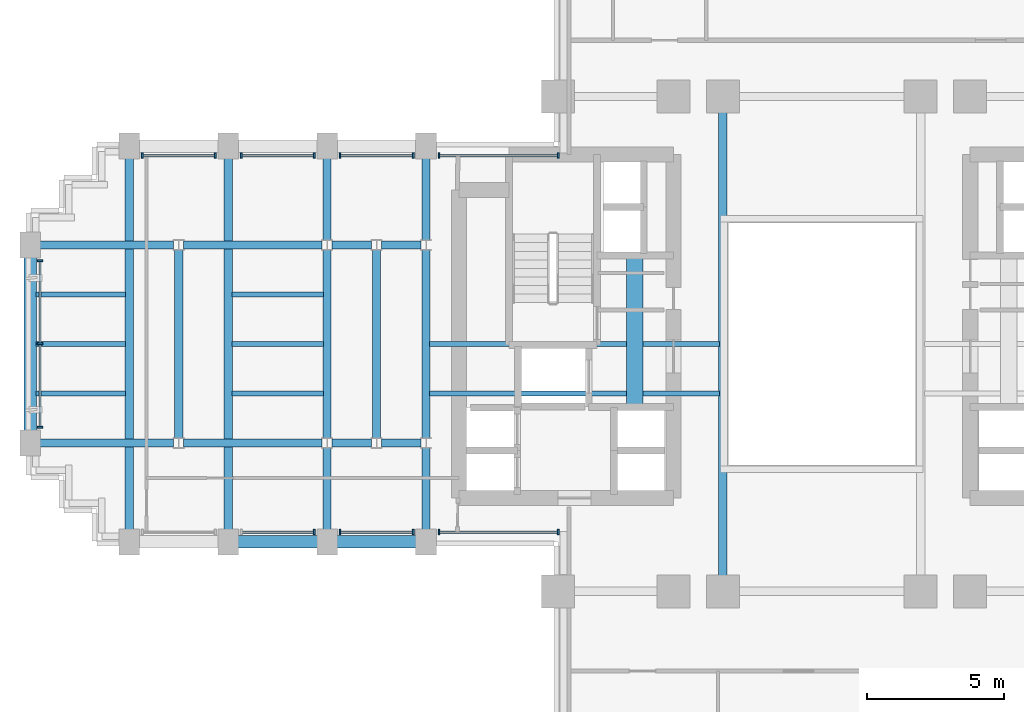
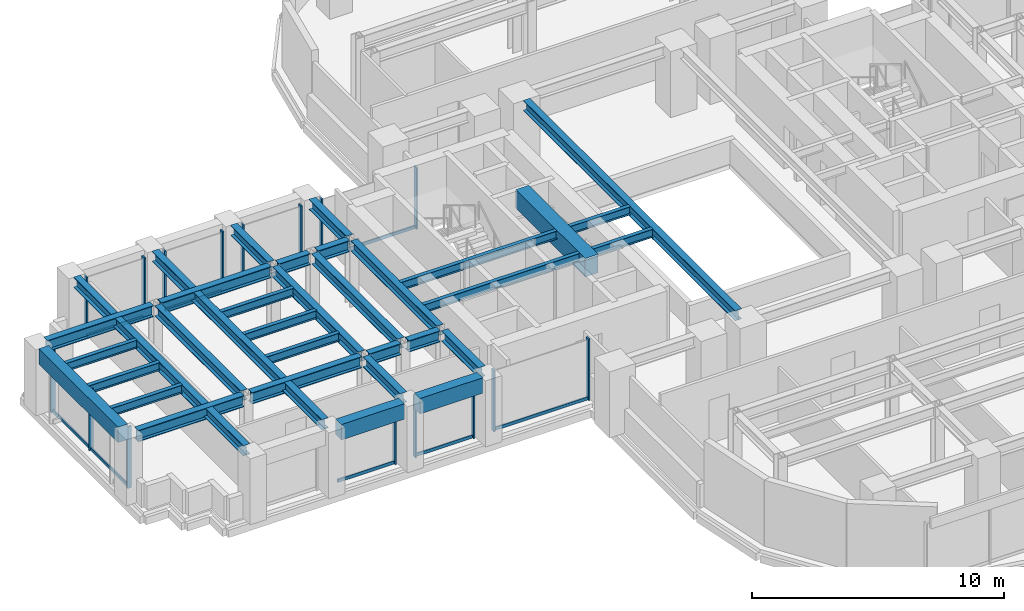
# One storey, part 4 of 16: 31 beams, 25 members, 8 elements without a shape of their own.
"""IFC4 building model written with IfcOpenShell, lengths in metres."""

from ifc_helpers import new_model, si_unit, direction, frame, origin, origin_2d, place, context, subcontext, project, spatial, rectangle, i_section, extrude, source, transform, mapped, material, material_profile, profile_set, type_object, element, aggregate, save


model = new_model("IFC4")

# Units and contexts
model_context = context("Model", 3, precision=1e-05, world=origin(), true_north=direction((0.0, 1.0)))
body_context = subcontext(model_context, "Body", "Model", "MODEL_VIEW")
ifc_project = project(units=[si_unit("LENGTHUNIT", "METRE"), si_unit("AREAUNIT", "SQUARE_METRE"), si_unit("VOLUMEUNIT", "CUBIC_METRE"), si_unit("PLANEANGLEUNIT", "RADIAN"), si_unit("MASSUNIT", "GRAM", prefix="KILO")], contexts=[model_context])

# Site, building, storey
site_placement = place(None, origin())
site = spatial("IfcSite", under=ifc_project, at=site_placement, CompositionType="ELEMENT")
building_placement = place(site_placement, origin())
building = spatial("IfcBuilding", under=site, at=building_placement, Name="Keilestroom Media Tower", CompositionType="ELEMENT")
storey_placement = place(building_placement, frame((0.0, 0.0, 57.800048828125)))
storey = spatial("IfcBuildingStorey", under=building, at=storey_placement, Name="L14", CompositionType="ELEMENT", Elevation=57.800048828125)

# Beams
ifc_material_1 = material(Name="Concrete C70/85", Category="concrete")
ifc_material_profile_1 = material_profile(ifc_material_1, rectangle(XDim=0.60009765625, YDim=0.89990234375, at=origin_2d()), Name="RC 600x900")
ifc_profile_set_1 = profile_set([ifc_material_profile_1], Name="Concrete C70/85")
beam_type_1 = type_object("IfcBeamType", Name="Core-Coupling-Lintel-Beam-RC-600x900", PredefinedType="LINTEL", material=ifc_profile_set_1)
shared_shape_1 = source(origin(), body_context, "Body", "SweptSolid", [
    extrude(rectangle(XDim=0.60009765625, YDim=0.89990234375, at=origin_2d()), origin(), (0.0, 0.0, 1.0), 5.52001953125),
])
beam_1_placement = place(storey_placement, frame((-6.800048828125, -2.300048828125, 2.75), z_axis=(0.0, 1.0, 0.0), x_axis=(-1.0, 0.0, 0.0)))
element("IfcBeam", 1, at=beam_1_placement, inside=storey, type_object=beam_type_1, Name="L14 Beam CLB-1 CLB-L14-W", PredefinedType="LINTEL", context=body_context, shape_type="MappedRepresentation", body=[
    mapped(shared_shape_1, transform((0.0, 0.0, 0.0), x_axis=(1.0, 0.0, 0.0), y_axis=(0.0, 1.0, 0.0), z_axis=(0.0, 0.0, 1.0), scale=1.0)),
])
ifc_material_2 = material(Name="Precast concrete C40/50", Category="concrete")
ifc_material_profile_2 = material_profile(ifc_material_2, rectangle(XDim=0.449951171875, YDim=0.75, at=origin_2d()), Name="PC 450x750")
ifc_profile_set_2 = profile_set([ifc_material_profile_2], Name="Precast concrete C40/50")
beam_type_2 = type_object("IfcBeamType", Name="Perimeter-Spandrel-Beam-PC-450x750", PredefinedType="SPANDREL", material=ifc_profile_set_2)
shared_shape_2 = source(origin(), body_context, "Body", "SweptSolid", [
    extrude(rectangle(XDim=0.449951171875, YDim=0.75, at=origin_2d()), origin(), (0.0, 0.0, 1.0), 6.2900390625),
])
beam_2_placement = place(storey_placement, frame((-28.800048828125, -3.14501953125, 2.824951171875), z_axis=(0.0, 1.0, 0.0), x_axis=(-1.0, 0.0, 0.0)))
element("IfcBeam", 2, at=beam_2_placement, inside=storey, type_object=beam_type_2, Name="L14 Beam SPB-1 BM-L14-NS-051", PredefinedType="SPANDREL", context=body_context, shape_type="MappedRepresentation", body=[
    mapped(shared_shape_2, transform((0.0, 0.0, 0.0), x_axis=(1.0, 0.0, 0.0), y_axis=(0.0, 1.0, 0.0), z_axis=(0.0, 0.0, 1.0), scale=1.0)),
])
shared_shape_3 = source(origin(), body_context, "Body", "SweptSolid", [
    extrude(rectangle(XDim=0.449951171875, YDim=0.75, at=origin_2d()), origin(), (0.0, 0.0, 1.0), 2.89013671875),
])
for number, where, z_axis, x_axis, name in (
    (3, (-21.2451171875, -7.199951171875, 2.824951171875), (1.0, 0.0, 0.0), (0.0, 1.0, 0.0), "L14 Beam SPB-1 BM-L14-EW-013"),
    (4, (-17.64501953125, -7.199951171875, 2.824951171875), (1.0, 0.0, 0.0), (0.0, 1.0, 0.0), "L14 Beam SPB-1 BM-L14-EW-014"),
):
    element("IfcBeam", number, at=place(storey_placement, frame(where, z_axis=z_axis, x_axis=x_axis)), inside=storey, type_object=beam_type_2, Name=name, PredefinedType="SPANDREL", context=body_context, shape_type="MappedRepresentation", body=[
        mapped(shared_shape_3, transform((0.0, 0.0, 0.0), x_axis=(1.0, 0.0, 0.0), y_axis=(0.0, 1.0, 0.0), z_axis=(0.0, 0.0, 1.0), scale=1.0)),
    ])
ifc_material_3 = material(Name="Steel S355", Category="steel")
ifc_material_profile_3 = material_profile(ifc_material_3, i_section(OverallWidth=0.300048828125, OverallDepth=0.550048828125, WebThickness=0.012939453125, FlangeThickness=0.029052734375, at=origin_2d()), Name="HEB 550")
ifc_profile_set_3 = profile_set([ifc_material_profile_3], Name="Steel S355")
beam_type_3 = type_object("IfcBeamType", Name="Primary-Structural-Girder-HEB-550", PredefinedType="BEAM", material=ifc_profile_set_3)
shared_shape_4 = source(origin(), body_context, "Body", "SweptSolid", [
    extrude(i_section(OverallWidth=0.300048828125, OverallDepth=0.550048828125, WebThickness=0.012939453125, FlangeThickness=0.029052734375, at=origin_2d()), origin(), (0.0, 0.0, 1.0), 4.863037109375),
])
for number, where, z_axis, x_axis, name in (
    (5, (-28.445068359375, -3.60009765625, 2.925048828125), (1.0, 0.0, 0.0), (0.0, 1.0, 0.0), "L14 Beam BG-5 BM-L14-EW-018"),
    (6, (-28.445068359375, 3.60009765625, 2.925048828125), (1.0, 0.0, 0.0), (0.0, 1.0, 0.0), "L14 Beam BG-5 BM-L14-EW-026"),
):
    element("IfcBeam", number, at=place(storey_placement, frame(where, z_axis=z_axis, x_axis=x_axis)), inside=storey, type_object=beam_type_3, Name=name, PredefinedType="BEAM", context=body_context, shape_type="MappedRepresentation", body=[
        mapped(shared_shape_4, transform((0.0, 0.0, 0.0), x_axis=(1.0, 0.0, 0.0), y_axis=(0.0, 1.0, 0.0), z_axis=(0.0, 0.0, 1.0), scale=1.0)),
    ])
shared_shape_5 = source(origin(), body_context, "Body", "SweptSolid", [
    extrude(i_section(OverallWidth=0.300048828125, OverallDepth=0.550048828125, WebThickness=0.012939453125, FlangeThickness=0.029052734375, at=origin_2d()), origin(), (0.0, 0.0, 1.0), 5.0361328125),
])
for number, where, z_axis, x_axis, name in (
    (7, (-23.218017578125, -3.60009765625, 2.925048828125), (1.0, 0.0, 0.0), (0.0, 1.0, 0.0), "L14 Beam BG-5 BM-L14-EW-019"),
    (8, (-23.218017578125, 3.60009765625, 2.925048828125), (1.0, 0.0, 0.0), (0.0, 1.0, 0.0), "L14 Beam BG-5 BM-L14-EW-027"),
):
    element("IfcBeam", number, at=place(storey_placement, frame(where, z_axis=z_axis, x_axis=x_axis)), inside=storey, type_object=beam_type_3, Name=name, PredefinedType="BEAM", context=body_context, shape_type="MappedRepresentation", body=[
        mapped(shared_shape_5, transform((0.0, 0.0, 0.0), x_axis=(1.0, 0.0, 0.0), y_axis=(0.0, 1.0, 0.0), z_axis=(0.0, 0.0, 1.0), scale=1.0)),
    ])
shared_shape_6 = source(origin(), body_context, "Body", "SweptSolid", [
    extrude(i_section(OverallWidth=0.300048828125, OverallDepth=0.550048828125, WebThickness=0.012939453125, FlangeThickness=0.029052734375, at=origin_2d()), origin(), (0.0, 0.0, 1.0), 1.43603515625),
])
for number, where, z_axis, x_axis, name in (
    (9, (-17.818115234375, -3.60009765625, 2.925048828125), (1.0, 0.0, 0.0), (0.0, 1.0, 0.0), "L14 Beam BG-5 BM-L14-EW-020"),
    (10, (-16.01806640625, -3.60009765625, 2.925048828125), (1.0, 0.0, 0.0), (0.0, 1.0, 0.0), "L14 Beam BG-5 BM-L14-EW-021"),
    (11, (-17.818115234375, 3.60009765625, 2.925048828125), (1.0, 0.0, 0.0), (0.0, 1.0, 0.0), "L14 Beam BG-5 BM-L14-EW-028"),
    (12, (-16.01806640625, 3.60009765625, 2.925048828125), (1.0, 0.0, 0.0), (0.0, 1.0, 0.0), "L14 Beam BG-5 BM-L14-EW-029"),
):
    element("IfcBeam", number, at=place(storey_placement, frame(where, z_axis=z_axis, x_axis=x_axis)), inside=storey, type_object=beam_type_3, Name=name, PredefinedType="BEAM", context=body_context, shape_type="MappedRepresentation", body=[
        mapped(shared_shape_6, transform((0.0, 0.0, 0.0), x_axis=(1.0, 0.0, 0.0), y_axis=(0.0, 1.0, 0.0), z_axis=(0.0, 0.0, 1.0), scale=1.0)),
    ])
ifc_material_profile_4 = material_profile(ifc_material_3, i_section(OverallWidth=0.300048828125, OverallDepth=0.5, WebThickness=0.012451171875, FlangeThickness=0.028076171875, at=origin_2d()), Name="HEB 500")
ifc_profile_set_4 = profile_set([ifc_material_profile_4], Name="Steel S355")
beam_type_4 = type_object("IfcBeamType", Name="Primary-Structural-Girder-HEB-500", PredefinedType="BEAM", material=ifc_profile_set_4)
shared_shape_7 = source(origin(), body_context, "Body", "SweptSolid", [
    extrude(i_section(OverallWidth=0.300048828125, OverallDepth=0.5, WebThickness=0.012451171875, FlangeThickness=0.028076171875, at=origin_2d()), origin(), (0.0, 0.0, 1.0), 13.490234375),
])
for number, where, z_axis, x_axis, name in (
    (13, (-25.199951171875, -6.7451171875, 2.949951171875), (0.0, 1.0, 0.0), (-1.0, 0.0, 0.0), "L14 Beam BG-6 BM-L14-NS-052"),
    (14, (-21.60009765625, -6.7451171875, 2.949951171875), (0.0, 1.0, 0.0), (-1.0, 0.0, 0.0), "L14 Beam BG-6 BM-L14-NS-054"),
):
    element("IfcBeam", number, at=place(storey_placement, frame(where, z_axis=z_axis, x_axis=x_axis)), inside=storey, type_object=beam_type_4, Name=name, PredefinedType="BEAM", context=body_context, shape_type="MappedRepresentation", body=[
        mapped(shared_shape_7, transform((0.0, 0.0, 0.0), x_axis=(1.0, 0.0, 0.0), y_axis=(0.0, 1.0, 0.0), z_axis=(0.0, 0.0, 1.0), scale=1.0)),
    ])
shared_shape_8 = source(origin(), body_context, "Body", "SweptSolid", [
    extrude(i_section(OverallWidth=0.300048828125, OverallDepth=0.5, WebThickness=0.012451171875, FlangeThickness=0.028076171875, at=origin_2d()), origin(), (0.0, 0.0, 1.0), 6.8330078125),
])
for number, where, z_axis, x_axis, name in (
    (15, (-23.39990234375, -3.41650390625, 2.949951171875), (0.0, 1.0, 0.0), (-1.0, 0.0, 0.0), "L14 Beam BG-6 BM-L14-NS-053"),
    (16, (-18.0, -3.41650390625, 2.949951171875), (0.0, 1.0, 0.0), (-1.0, 0.0, 0.0), "L14 Beam BG-6 BM-L14-NS-056"),
    (17, (-16.199951171875, -3.41650390625, 2.949951171875), (0.0, 1.0, 0.0), (-1.0, 0.0, 0.0), "L14 Beam BG-6 BM-L14-NS-058"),
    (18, (-14.39990234375, -3.41650390625, 2.949951171875), (0.0, 1.0, 0.0), (-1.0, 0.0, 0.0), "L14 Beam BG-6 BM-L14-NS-060"),
):
    element("IfcBeam", number, at=place(storey_placement, frame(where, z_axis=z_axis, x_axis=x_axis)), inside=storey, type_object=beam_type_4, Name=name, PredefinedType="BEAM", context=body_context, shape_type="MappedRepresentation", body=[
        mapped(shared_shape_8, transform((0.0, 0.0, 0.0), x_axis=(1.0, 0.0, 0.0), y_axis=(0.0, 1.0, 0.0), z_axis=(0.0, 0.0, 1.0), scale=1.0)),
    ])
shared_shape_9 = source(origin(), body_context, "Body", "SweptSolid", [
    extrude(i_section(OverallWidth=0.300048828125, OverallDepth=0.5, WebThickness=0.012451171875, FlangeThickness=0.028076171875, at=origin_2d()), origin(), (0.0, 0.0, 1.0), 2.961669921875),
])
for number, where, z_axis, x_axis, name in (
    (19, (-18.0, -6.7451171875, 2.949951171875), (0.0, 1.0, 0.0), (-1.0, 0.0, 0.0), "L14 Beam BG-6 BM-L14-NS-055"),
    (20, (-18.0, 3.783447265625, 2.949951171875), (0.0, 1.0, 0.0), (-1.0, 0.0, 0.0), "L14 Beam BG-6 BM-L14-NS-057"),
    (21, (-14.39990234375, -6.7451171875, 2.949951171875), (0.0, 1.0, 0.0), (-1.0, 0.0, 0.0), "L14 Beam BG-6 BM-L14-NS-059"),
    (22, (-14.39990234375, 3.783447265625, 2.949951171875), (0.0, 1.0, 0.0), (-1.0, 0.0, 0.0), "L14 Beam BG-6 BM-L14-NS-061"),
):
    element("IfcBeam", number, at=place(storey_placement, frame(where, z_axis=z_axis, x_axis=x_axis)), inside=storey, type_object=beam_type_4, Name=name, PredefinedType="BEAM", context=body_context, shape_type="MappedRepresentation", body=[
        mapped(shared_shape_9, transform((0.0, 0.0, 0.0), x_axis=(1.0, 0.0, 0.0), y_axis=(0.0, 1.0, 0.0), z_axis=(0.0, 0.0, 1.0), scale=1.0)),
    ])
shared_shape_10 = source(origin(), body_context, "Body", "SweptSolid", [
    extrude(i_section(OverallWidth=0.300048828125, OverallDepth=0.5, WebThickness=0.012451171875, FlangeThickness=0.028076171875, at=origin_2d()), origin(), (0.0, 0.0, 1.0), 16.83984375),
])
beam_3_placement = place(storey_placement, frame((-3.60009765625, -8.419921875, 2.949951171875), z_axis=(0.0, 1.0, 0.0), x_axis=(-1.0, 0.0, 0.0)))
element("IfcBeam", 23, at=beam_3_placement, inside=storey, type_object=beam_type_4, Name="L14 Beam BG-6 BM-L14-NS-066", PredefinedType="BEAM", context=body_context, shape_type="MappedRepresentation", body=[
    mapped(shared_shape_10, transform((0.0, 0.0, 0.0), x_axis=(1.0, 0.0, 0.0), y_axis=(0.0, 1.0, 0.0), z_axis=(0.0, 0.0, 1.0), scale=1.0)),
])
ifc_material_profile_5 = material_profile(ifc_material_3, i_section(OverallWidth=0.179931640625, OverallDepth=0.39990234375, WebThickness=0.008544921875, FlangeThickness=0.013427734375, at=origin_2d()), Name="IPE 400")
ifc_profile_set_5 = profile_set([ifc_material_profile_5], Name="Steel S355")
beam_type_5 = type_object("IfcBeamType", Name="Secondary-Floor-Joist-IPE-400", PredefinedType="JOIST", material=ifc_profile_set_5)
shared_shape_11 = source(origin(), body_context, "Body", "SweptSolid", [
    extrude(i_section(OverallWidth=0.179931640625, OverallDepth=0.39990234375, WebThickness=0.008544921875, FlangeThickness=0.013427734375, at=origin_2d()), origin(), (0.0, 0.0, 1.0), 3.264892578125),
])
for number, where, z_axis, x_axis, name in (
    (24, (-28.594970703125, -1.800048828125, 3.0), (1.0, 0.0, 0.0), (0.0, 1.0, 0.0), "L14 Beam BJ-4 JST-L14-089"),
    (25, (-28.594970703125, 0.0, 3.0), (1.0, 0.0, 0.0), (0.0, 1.0, 0.0), "L14 Beam BJ-4 JST-L14-096"),
    (26, (-28.594970703125, 1.800048828125, 3.0), (1.0, 0.0, 0.0), (0.0, 1.0, 0.0), "L14 Beam BJ-4 JST-L14-103"),
):
    element("IfcBeam", number, at=place(storey_placement, frame(where, z_axis=z_axis, x_axis=x_axis)), inside=storey, type_object=beam_type_5, Name=name, PredefinedType="JOIST", context=body_context, shape_type="MappedRepresentation", body=[
        mapped(shared_shape_11, transform((0.0, 0.0, 0.0), x_axis=(1.0, 0.0, 0.0), y_axis=(0.0, 1.0, 0.0), z_axis=(0.0, 0.0, 1.0), scale=1.0)),
    ])
shared_shape_12 = source(origin(), body_context, "Body", "SweptSolid", [
    extrude(i_section(OverallWidth=0.179931640625, OverallDepth=0.39990234375, WebThickness=0.008544921875, FlangeThickness=0.013427734375, at=origin_2d()), origin(), (0.0, 0.0, 1.0), 3.340087890625),
])
for number, where, z_axis, x_axis, name in (
    (27, (-21.469970703125, -1.800048828125, 3.0), (1.0, 0.0, 0.0), (0.0, 1.0, 0.0), "L14 Beam BJ-4 JST-L14-090"),
    (28, (-21.469970703125, 0.0, 3.0), (1.0, 0.0, 0.0), (0.0, 1.0, 0.0), "L14 Beam BJ-4 JST-L14-097"),
    (29, (-21.469970703125, 1.800048828125, 3.0), (1.0, 0.0, 0.0), (0.0, 1.0, 0.0), "L14 Beam BJ-4 JST-L14-104"),
):
    element("IfcBeam", number, at=place(storey_placement, frame(where, z_axis=z_axis, x_axis=x_axis)), inside=storey, type_object=beam_type_5, Name=name, PredefinedType="JOIST", context=body_context, shape_type="MappedRepresentation", body=[
        mapped(shared_shape_12, transform((0.0, 0.0, 0.0), x_axis=(1.0, 0.0, 0.0), y_axis=(0.0, 1.0, 0.0), z_axis=(0.0, 0.0, 1.0), scale=1.0)),
    ])
shared_shape_13 = source(origin(), body_context, "Body", "SweptSolid", [
    extrude(i_section(OverallWidth=0.179931640625, OverallDepth=0.39990234375, WebThickness=0.008544921875, FlangeThickness=0.013427734375, at=origin_2d()), origin(), (0.0, 0.0, 1.0), 10.5400390625),
])
for number, where, z_axis, x_axis, name in (
    (30, (-14.27001953125, -1.800048828125, 3.0), (1.0, 0.0, 0.0), (0.0, 1.0, 0.0), "L14 Beam BJ-4 JST-L14-091"),
    (31, (-14.27001953125, 0.0, 3.0), (1.0, 0.0, 0.0), (0.0, 1.0, 0.0), "L14 Beam BJ-4 JST-L14-098"),
):
    element("IfcBeam", number, at=place(storey_placement, frame(where, z_axis=z_axis, x_axis=x_axis)), inside=storey, type_object=beam_type_5, Name=name, PredefinedType="JOIST", context=body_context, shape_type="MappedRepresentation", body=[
        mapped(shared_shape_13, transform((0.0, 0.0, 0.0), x_axis=(1.0, 0.0, 0.0), y_axis=(0.0, 1.0, 0.0), z_axis=(0.0, 0.0, 1.0), scale=1.0)),
    ])

# Curtain wall, members
ifc_material_4 = material(Name="Anodised Aluminium Alloy", Category="aluminium")
curtain_wall_type = type_object("IfcCurtainWallType", Name="Unitised-Curtain-Wall-CW-1", PredefinedType="NOTDEFINED", material=ifc_material_4)
curtain_wall_1_placement = place(storey_placement, origin())
curtain_wall_1 = element("IfcCurtainWall", 32, at=curtain_wall_1_placement, inside=storey, type_object=curtain_wall_type, Name="L14 Curtain Wall CW-1 CW-L14-W-1", PredefinedType="NOTDEFINED")
ifc_material_profile_6 = material_profile(ifc_material_4, rectangle(XDim=0.070068359375, YDim=0.199951171875, at=origin_2d()), Name="ALU MULLION 70x200")
ifc_profile_set_6 = profile_set([ifc_material_profile_6], Name="Anodised Aluminium Alloy")
member_type_1 = type_object("IfcMemberType", Name="Curtain-Wall-Mullion-CW-1", PredefinedType="MULLION", material=ifc_profile_set_6)
shared_shape_14 = source(origin(), body_context, "Body", "SweptSolid", [
    extrude(rectangle(XDim=0.070068359375, YDim=0.199951171875, at=origin_2d()), origin(), (0.0, 0.0, 1.0), 2.97998046875),
])
member_1_placement = place(storey_placement, frame((-28.449951171875, -3.030029296875, 0.0), z_axis=(0.0, 0.0, 1.0), x_axis=(0.0, 1.0, 0.0)))
member_1 = element("IfcMember", 33, at=member_1_placement, type_object=member_type_1, Name="CW-1 Mullion 00", PredefinedType="MULLION", context=body_context, shape_type="MappedRepresentation", body=[
    mapped(shared_shape_14, transform((0.0, 0.0, 0.0), x_axis=(1.0, 0.0, 0.0), y_axis=(0.0, 1.0, 0.0), z_axis=(0.0, 0.0, 1.0), scale=1.0)),
])
member_2_placement = place(storey_placement, frame((-28.449951171875, 0.0, 0.0), z_axis=(0.0, 0.0, 1.0), x_axis=(0.0, 1.0, 0.0)))
member_2 = element("IfcMember", 34, at=member_2_placement, type_object=member_type_1, Name="CW-1 Mullion 01", PredefinedType="MULLION", context=body_context, shape_type="MappedRepresentation", body=[
    mapped(shared_shape_14, transform((0.0, 0.0, 0.0), x_axis=(1.0, 0.0, 0.0), y_axis=(0.0, 1.0, 0.0), z_axis=(0.0, 0.0, 1.0), scale=1.0)),
])
member_3_placement = place(storey_placement, frame((-28.449951171875, 3.030029296875, 0.0), z_axis=(0.0, 0.0, 1.0), x_axis=(0.0, 1.0, 0.0)))
member_3 = element("IfcMember", 35, at=member_3_placement, type_object=member_type_1, Name="CW-1 Mullion 02", PredefinedType="MULLION", context=body_context, shape_type="MappedRepresentation", body=[
    mapped(shared_shape_14, transform((0.0, 0.0, 0.0), x_axis=(1.0, 0.0, 0.0), y_axis=(0.0, 1.0, 0.0), z_axis=(0.0, 0.0, 1.0), scale=1.0)),
])

curtain_wall_2_placement = place(storey_placement, origin())
curtain_wall_2 = element("IfcCurtainWall", 36, at=curtain_wall_2_placement, inside=storey, type_object=curtain_wall_type, Name="L14 Curtain Wall CW-1 CW-L14-NW-1", PredefinedType="NOTDEFINED")
member_4_placement = place(storey_placement, frame((-24.72998046875, 6.85009765625, 0.0), z_axis=(0.0, 0.0, 1.0), x_axis=(1.0, 0.0, 0.0)))
member_4 = element("IfcMember", 37, at=member_4_placement, type_object=member_type_1, Name="CW-1 Mullion 00", PredefinedType="MULLION", context=body_context, shape_type="MappedRepresentation", body=[
    mapped(shared_shape_14, transform((0.0, 0.0, 0.0), x_axis=(1.0, 0.0, 0.0), y_axis=(0.0, 1.0, 0.0), z_axis=(0.0, 0.0, 1.0), scale=1.0)),
])
member_5_placement = place(storey_placement, frame((-22.070068359375, 6.85009765625, 0.0), z_axis=(0.0, 0.0, 1.0), x_axis=(1.0, 0.0, 0.0)))
member_5 = element("IfcMember", 38, at=member_5_placement, type_object=member_type_1, Name="CW-1 Mullion 01", PredefinedType="MULLION", context=body_context, shape_type="MappedRepresentation", body=[
    mapped(shared_shape_14, transform((0.0, 0.0, 0.0), x_axis=(1.0, 0.0, 0.0), y_axis=(0.0, 1.0, 0.0), z_axis=(0.0, 0.0, 1.0), scale=1.0)),
])

curtain_wall_3_placement = place(storey_placement, origin())
curtain_wall_3 = element("IfcCurtainWall", 39, at=curtain_wall_3_placement, inside=storey, type_object=curtain_wall_type, Name="L14 Curtain Wall CW-1 CW-L14-NW-2", PredefinedType="NOTDEFINED")
member_6_placement = place(storey_placement, frame((-21.1298828125, 6.85009765625, 0.0), z_axis=(0.0, 0.0, 1.0), x_axis=(1.0, 0.0, 0.0)))
member_6 = element("IfcMember", 40, at=member_6_placement, type_object=member_type_1, Name="CW-1 Mullion 00", PredefinedType="MULLION", context=body_context, shape_type="MappedRepresentation", body=[
    mapped(shared_shape_14, transform((0.0, 0.0, 0.0), x_axis=(1.0, 0.0, 0.0), y_axis=(0.0, 1.0, 0.0), z_axis=(0.0, 0.0, 1.0), scale=1.0)),
])
member_7_placement = place(storey_placement, frame((-18.469970703125, 6.85009765625, 0.0), z_axis=(0.0, 0.0, 1.0), x_axis=(1.0, 0.0, 0.0)))
member_7 = element("IfcMember", 41, at=member_7_placement, type_object=member_type_1, Name="CW-1 Mullion 01", PredefinedType="MULLION", context=body_context, shape_type="MappedRepresentation", body=[
    mapped(shared_shape_14, transform((0.0, 0.0, 0.0), x_axis=(1.0, 0.0, 0.0), y_axis=(0.0, 1.0, 0.0), z_axis=(0.0, 0.0, 1.0), scale=1.0)),
])

curtain_wall_4_placement = place(storey_placement, origin())
curtain_wall_4 = element("IfcCurtainWall", 42, at=curtain_wall_4_placement, inside=storey, type_object=curtain_wall_type, Name="L14 Curtain Wall CW-1 CW-L14-NW-3", PredefinedType="NOTDEFINED")
member_8_placement = place(storey_placement, frame((-17.530029296875, 6.85009765625, 0.0), z_axis=(0.0, 0.0, 1.0), x_axis=(1.0, 0.0, 0.0)))
member_8 = element("IfcMember", 43, at=member_8_placement, type_object=member_type_1, Name="CW-1 Mullion 00", PredefinedType="MULLION", context=body_context, shape_type="MappedRepresentation", body=[
    mapped(shared_shape_14, transform((0.0, 0.0, 0.0), x_axis=(1.0, 0.0, 0.0), y_axis=(0.0, 1.0, 0.0), z_axis=(0.0, 0.0, 1.0), scale=1.0)),
])
member_9_placement = place(storey_placement, frame((-14.8701171875, 6.85009765625, 0.0), z_axis=(0.0, 0.0, 1.0), x_axis=(1.0, 0.0, 0.0)))
member_9 = element("IfcMember", 44, at=member_9_placement, type_object=member_type_1, Name="CW-1 Mullion 01", PredefinedType="MULLION", context=body_context, shape_type="MappedRepresentation", body=[
    mapped(shared_shape_14, transform((0.0, 0.0, 0.0), x_axis=(1.0, 0.0, 0.0), y_axis=(0.0, 1.0, 0.0), z_axis=(0.0, 0.0, 1.0), scale=1.0)),
])

curtain_wall_5_placement = place(storey_placement, origin())
curtain_wall_5 = element("IfcCurtainWall", 45, at=curtain_wall_5_placement, inside=storey, type_object=curtain_wall_type, Name="L14 Curtain Wall CW-1 CW-L14-NW-4", PredefinedType="NOTDEFINED")
member_10_placement = place(storey_placement, frame((-13.929931640625, 6.85009765625, 0.0), z_axis=(0.0, 0.0, 1.0), x_axis=(1.0, 0.0, 0.0)))
member_10 = element("IfcMember", 46, at=member_10_placement, type_object=member_type_1, Name="CW-1 Mullion 00", PredefinedType="MULLION", context=body_context, shape_type="MappedRepresentation", body=[
    mapped(shared_shape_14, transform((0.0, 0.0, 0.0), x_axis=(1.0, 0.0, 0.0), y_axis=(0.0, 1.0, 0.0), z_axis=(0.0, 0.0, 1.0), scale=1.0)),
])
member_11_placement = place(storey_placement, frame((-9.5849609375, 6.85009765625, 0.0), z_axis=(0.0, 0.0, 1.0), x_axis=(1.0, 0.0, 0.0)))
member_11 = element("IfcMember", 47, at=member_11_placement, type_object=member_type_1, Name="CW-1 Mullion 01", PredefinedType="MULLION", context=body_context, shape_type="MappedRepresentation", body=[
    mapped(shared_shape_14, transform((0.0, 0.0, 0.0), x_axis=(1.0, 0.0, 0.0), y_axis=(0.0, 1.0, 0.0), z_axis=(0.0, 0.0, 1.0), scale=1.0)),
])

# Curtain wall, member
curtain_wall_6_placement = place(storey_placement, origin())
curtain_wall_6 = element("IfcCurtainWall", 48, at=curtain_wall_6_placement, inside=storey, type_object=curtain_wall_type, Name="L14 Curtain Wall CW-1 CW-L14-SW-2", PredefinedType="NOTDEFINED")
member_12_placement = place(storey_placement, frame((-18.469970703125, -6.85009765625, 0.0), z_axis=(0.0, 0.0, 1.0), x_axis=(1.0, 0.0, 0.0)))
member_12 = element("IfcMember", 49, at=member_12_placement, type_object=member_type_1, Name="CW-1 Mullion 01", PredefinedType="MULLION", context=body_context, shape_type="MappedRepresentation", body=[
    mapped(shared_shape_14, transform((0.0, 0.0, 0.0), x_axis=(1.0, 0.0, 0.0), y_axis=(0.0, 1.0, 0.0), z_axis=(0.0, 0.0, 1.0), scale=1.0)),
])

# Curtain wall, members
curtain_wall_7_placement = place(storey_placement, origin())
curtain_wall_7 = element("IfcCurtainWall", 50, at=curtain_wall_7_placement, inside=storey, type_object=curtain_wall_type, Name="L14 Curtain Wall CW-1 CW-L14-SW-3", PredefinedType="NOTDEFINED")
member_13_placement = place(storey_placement, frame((-17.530029296875, -6.85009765625, 0.0), z_axis=(0.0, 0.0, 1.0), x_axis=(1.0, 0.0, 0.0)))
member_13 = element("IfcMember", 51, at=member_13_placement, type_object=member_type_1, Name="CW-1 Mullion 00", PredefinedType="MULLION", context=body_context, shape_type="MappedRepresentation", body=[
    mapped(shared_shape_14, transform((0.0, 0.0, 0.0), x_axis=(1.0, 0.0, 0.0), y_axis=(0.0, 1.0, 0.0), z_axis=(0.0, 0.0, 1.0), scale=1.0)),
])
member_14_placement = place(storey_placement, frame((-14.8701171875, -6.85009765625, 0.0), z_axis=(0.0, 0.0, 1.0), x_axis=(1.0, 0.0, 0.0)))
member_14 = element("IfcMember", 52, at=member_14_placement, type_object=member_type_1, Name="CW-1 Mullion 01", PredefinedType="MULLION", context=body_context, shape_type="MappedRepresentation", body=[
    mapped(shared_shape_14, transform((0.0, 0.0, 0.0), x_axis=(1.0, 0.0, 0.0), y_axis=(0.0, 1.0, 0.0), z_axis=(0.0, 0.0, 1.0), scale=1.0)),
])

curtain_wall_8_placement = place(storey_placement, origin())
curtain_wall_8 = element("IfcCurtainWall", 53, at=curtain_wall_8_placement, inside=storey, type_object=curtain_wall_type, Name="L14 Curtain Wall CW-1 CW-L14-SW-4", PredefinedType="NOTDEFINED")
member_15_placement = place(storey_placement, frame((-13.929931640625, -6.85009765625, 0.0), z_axis=(0.0, 0.0, 1.0), x_axis=(1.0, 0.0, 0.0)))
member_15 = element("IfcMember", 54, at=member_15_placement, type_object=member_type_1, Name="CW-1 Mullion 00", PredefinedType="MULLION", context=body_context, shape_type="MappedRepresentation", body=[
    mapped(shared_shape_14, transform((0.0, 0.0, 0.0), x_axis=(1.0, 0.0, 0.0), y_axis=(0.0, 1.0, 0.0), z_axis=(0.0, 0.0, 1.0), scale=1.0)),
])
member_16_placement = place(storey_placement, frame((-9.5849609375, -6.85009765625, 0.0), z_axis=(0.0, 0.0, 1.0), x_axis=(1.0, 0.0, 0.0)))
member_16 = element("IfcMember", 55, at=member_16_placement, type_object=member_type_1, Name="CW-1 Mullion 01", PredefinedType="MULLION", context=body_context, shape_type="MappedRepresentation", body=[
    mapped(shared_shape_14, transform((0.0, 0.0, 0.0), x_axis=(1.0, 0.0, 0.0), y_axis=(0.0, 1.0, 0.0), z_axis=(0.0, 0.0, 1.0), scale=1.0)),
])

# Member
ifc_material_profile_7 = material_profile(ifc_material_4, rectangle(XDim=0.06494140625, YDim=0.14990234375, at=origin_2d()), Name="ALU TRANSOM 65x150")
ifc_profile_set_7 = profile_set([ifc_material_profile_7], Name="Anodised Aluminium Alloy")
member_type_2 = type_object("IfcMemberType", Name="Curtain-Wall-Transom-CW-1", PredefinedType="USERDEFINED", material=ifc_profile_set_7)
shared_shape_15 = source(origin(), body_context, "Body", "SweptSolid", [
    extrude(rectangle(XDim=0.06494140625, YDim=0.14990234375, at=origin_2d()), origin(), (0.0, 0.0, 1.0), 2.964111328125),
])
member_17_placement = place(storey_placement, frame((-28.449951171875, -2.9970703125, 0.074951171875), z_axis=(0.0, 1.0, 0.0), x_axis=(-1.0, 0.0, 0.0)))
member_17 = element("IfcMember", 56, at=member_17_placement, type_object=member_type_2, Name="CW-1 Transom 00.1", ObjectType="TRANSOM", PredefinedType="USERDEFINED", context=body_context, shape_type="MappedRepresentation", body=[
    mapped(shared_shape_15, transform((0.0, 0.0, 0.0), x_axis=(1.0, 0.0, 0.0), y_axis=(0.0, 1.0, 0.0), z_axis=(0.0, 0.0, 1.0), scale=1.0)),
])

member_18_placement = place(storey_placement, frame((-28.449951171875, 0.032958984375, 0.074951171875), z_axis=(0.0, 1.0, 0.0), x_axis=(-1.0, 0.0, 0.0)))
member_18 = element("IfcMember", 57, at=member_18_placement, type_object=member_type_2, Name="CW-1 Transom 01.1", ObjectType="TRANSOM", PredefinedType="USERDEFINED", context=body_context, shape_type="MappedRepresentation", body=[
    mapped(shared_shape_15, transform((0.0, 0.0, 0.0), x_axis=(1.0, 0.0, 0.0), y_axis=(0.0, 1.0, 0.0), z_axis=(0.0, 0.0, 1.0), scale=1.0)),
])

aggregate(curtain_wall_1, [member_1, member_2, member_3, member_17, member_18])

shared_shape_16 = source(origin(), body_context, "Body", "SweptSolid", [
    extrude(rectangle(XDim=0.06494140625, YDim=0.14990234375, at=origin_2d()), origin(), (0.0, 0.0, 1.0), 2.593994140625),
])
member_19_placement = place(storey_placement, frame((-24.697021484375, 6.85009765625, 0.074951171875), z_axis=(1.0, 0.0, 0.0), x_axis=(0.0, 1.0, 0.0)))
member_19 = element("IfcMember", 58, at=member_19_placement, type_object=member_type_2, Name="CW-1 Transom 00.1", ObjectType="TRANSOM", PredefinedType="USERDEFINED", context=body_context, shape_type="MappedRepresentation", body=[
    mapped(shared_shape_16, transform((0.0, 0.0, 0.0), x_axis=(1.0, 0.0, 0.0), y_axis=(0.0, 1.0, 0.0), z_axis=(0.0, 0.0, 1.0), scale=1.0)),
])

aggregate(curtain_wall_2, [member_4, member_5, member_19])

member_20_placement = place(storey_placement, frame((-21.096923828125, 6.85009765625, 0.074951171875), z_axis=(1.0, 0.0, 0.0), x_axis=(0.0, 1.0, 0.0)))
member_20 = element("IfcMember", 59, at=member_20_placement, type_object=member_type_2, Name="CW-1 Transom 00.1", ObjectType="TRANSOM", PredefinedType="USERDEFINED", context=body_context, shape_type="MappedRepresentation", body=[
    mapped(shared_shape_16, transform((0.0, 0.0, 0.0), x_axis=(1.0, 0.0, 0.0), y_axis=(0.0, 1.0, 0.0), z_axis=(0.0, 0.0, 1.0), scale=1.0)),
])

aggregate(curtain_wall_3, [member_6, member_7, member_20])

member_21_placement = place(storey_placement, frame((-17.4970703125, 6.85009765625, 0.074951171875), z_axis=(1.0, 0.0, 0.0), x_axis=(0.0, 1.0, 0.0)))
member_21 = element("IfcMember", 60, at=member_21_placement, type_object=member_type_2, Name="CW-1 Transom 00.1", ObjectType="TRANSOM", PredefinedType="USERDEFINED", context=body_context, shape_type="MappedRepresentation", body=[
    mapped(shared_shape_16, transform((0.0, 0.0, 0.0), x_axis=(1.0, 0.0, 0.0), y_axis=(0.0, 1.0, 0.0), z_axis=(0.0, 0.0, 1.0), scale=1.0)),
])

aggregate(curtain_wall_4, [member_8, member_9, member_21])

member_22_placement = place(storey_placement, frame((-21.096923828125, -6.85009765625, 0.074951171875), z_axis=(1.0, 0.0, 0.0), x_axis=(0.0, 1.0, 0.0)))
member_22 = element("IfcMember", 61, at=member_22_placement, type_object=member_type_2, Name="CW-1 Transom 00.1", ObjectType="TRANSOM", PredefinedType="USERDEFINED", context=body_context, shape_type="MappedRepresentation", body=[
    mapped(shared_shape_16, transform((0.0, 0.0, 0.0), x_axis=(1.0, 0.0, 0.0), y_axis=(0.0, 1.0, 0.0), z_axis=(0.0, 0.0, 1.0), scale=1.0)),
])

aggregate(curtain_wall_6, [member_12, member_22])

member_23_placement = place(storey_placement, frame((-17.4970703125, -6.85009765625, 0.074951171875), z_axis=(1.0, 0.0, 0.0), x_axis=(0.0, 1.0, 0.0)))
member_23 = element("IfcMember", 62, at=member_23_placement, type_object=member_type_2, Name="CW-1 Transom 00.1", ObjectType="TRANSOM", PredefinedType="USERDEFINED", context=body_context, shape_type="MappedRepresentation", body=[
    mapped(shared_shape_16, transform((0.0, 0.0, 0.0), x_axis=(1.0, 0.0, 0.0), y_axis=(0.0, 1.0, 0.0), z_axis=(0.0, 0.0, 1.0), scale=1.0)),
])

aggregate(curtain_wall_7, [member_13, member_14, member_23])

shared_shape_17 = source(origin(), body_context, "Body", "SweptSolid", [
    extrude(rectangle(XDim=0.06494140625, YDim=0.14990234375, at=origin_2d()), origin(), (0.0, 0.0, 1.0), 4.279052734375),
])
member_24_placement = place(storey_placement, frame((-13.89697265625, 6.85009765625, 0.074951171875), z_axis=(1.0, 0.0, 0.0), x_axis=(0.0, 1.0, 0.0)))
member_24 = element("IfcMember", 63, at=member_24_placement, type_object=member_type_2, Name="CW-1 Transom 00.1", ObjectType="TRANSOM", PredefinedType="USERDEFINED", context=body_context, shape_type="MappedRepresentation", body=[
    mapped(shared_shape_17, transform((0.0, 0.0, 0.0), x_axis=(1.0, 0.0, 0.0), y_axis=(0.0, 1.0, 0.0), z_axis=(0.0, 0.0, 1.0), scale=1.0)),
])

aggregate(curtain_wall_5, [member_10, member_11, member_24])

member_25_placement = place(storey_placement, frame((-13.89697265625, -6.85009765625, 0.074951171875), z_axis=(1.0, 0.0, 0.0), x_axis=(0.0, 1.0, 0.0)))
member_25 = element("IfcMember", 64, at=member_25_placement, type_object=member_type_2, Name="CW-1 Transom 00.1", ObjectType="TRANSOM", PredefinedType="USERDEFINED", context=body_context, shape_type="MappedRepresentation", body=[
    mapped(shared_shape_17, transform((0.0, 0.0, 0.0), x_axis=(1.0, 0.0, 0.0), y_axis=(0.0, 1.0, 0.0), z_axis=(0.0, 0.0, 1.0), scale=1.0)),
])

aggregate(curtain_wall_8, [member_15, member_16, member_25])

save(model, "model.ifc")
